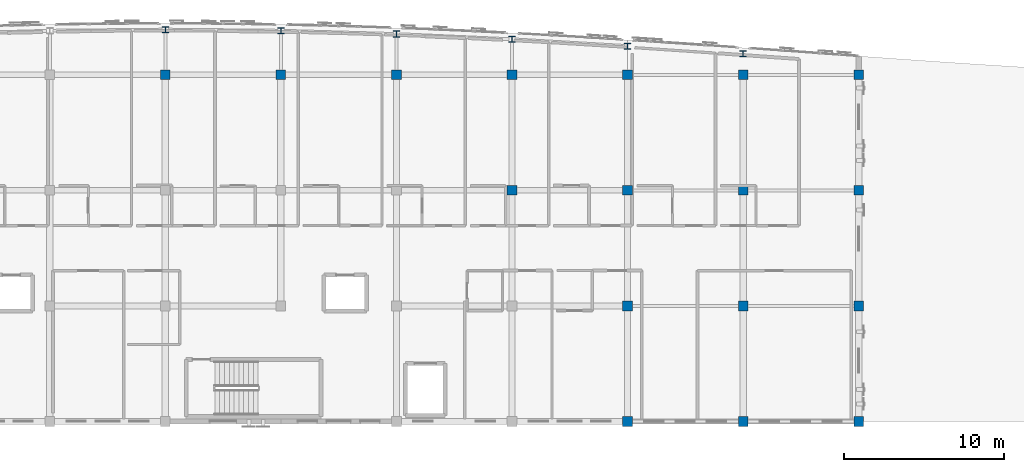
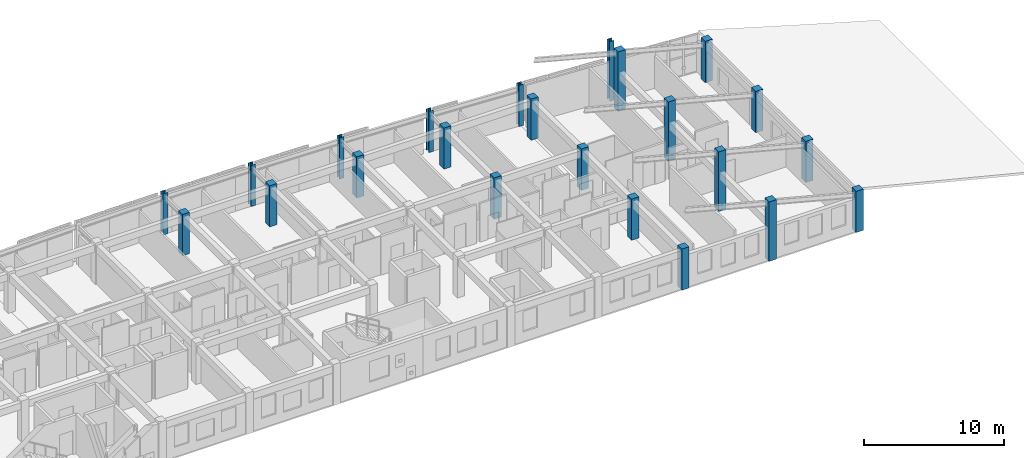
# One storey, part 3 of 41: 23 columns.
"""IFC4 building model written with IfcOpenShell, lengths in metres."""

from ifc_helpers import new_model, si_unit, direction, frame, origin, origin_2d, place, context, subcontext, project, spatial, rectangle, i_section, extrude, material, material_profile, profile_set, type_object, element, save


model = new_model("IFC4")

# Units and contexts
model_context = context("Model", 3, precision=1e-05, world=origin(), true_north=direction((0.0, 1.0)))
body_context = subcontext(model_context, "Body", "Model", "MODEL_VIEW")
ifc_project = project(units=[si_unit("LENGTHUNIT", "METRE"), si_unit("AREAUNIT", "SQUARE_METRE"), si_unit("VOLUMEUNIT", "CUBIC_METRE"), si_unit("PLANEANGLEUNIT", "RADIAN"), si_unit("MASSUNIT", "GRAM", prefix="KILO")], contexts=[model_context])

# Site, building, storey
site_placement = place(None, origin())
site = spatial("IfcSite", under=ifc_project, at=site_placement, CompositionType="ELEMENT")
building_placement = place(site_placement, origin())
building = spatial("IfcBuilding", under=site, at=building_placement, Name="Carrowvane Square Congress Hotel", CompositionType="ELEMENT")
storey_placement = place(building_placement, frame((0.0, 0.0, 37.199951171875)))
storey = spatial("IfcBuildingStorey", under=building, at=storey_placement, Name="L09", CompositionType="ELEMENT", Elevation=37.199951171875)

# Columns
ifc_material_1 = material(Name="Concrete C40/50", Category="concrete")
ifc_material_profile_1 = material_profile(ifc_material_1, rectangle(XDim=0.60009765625, YDim=0.60009765625, at=origin_2d()), Name="RC 600x600")
ifc_profile_set_1 = profile_set([ifc_material_profile_1], Name="Concrete C40/50")
column_type_1 = type_object("IfcColumnType", Name="COL-RC-600", PredefinedType="COLUMN", material=ifc_profile_set_1)
for number, where, z_axis, x_axis, name in (
    (1, (98.0, 113.39990234375, 0.0), (0.0, 0.0, 1.0), (1.0, 0.0, 0.0), "L09 column 13/R"),
    (2, (105.199951171875, 113.39990234375, 0.0), (0.0, 0.0, 1.0), (1.0, 0.0, 0.0), "L09 column 14/R"),
    (3, (112.39990234375, 113.39990234375, 0.0), (0.0, 0.0, 1.0), (1.0, 0.0, 0.0), "L09 column 15/R"),
    (4, (119.60009765625, 106.199951171875, 0.0), (0.0, 0.0, 1.0), (1.0, 0.0, 0.0), "L09 column 16/Q"),
    (5, (119.60009765625, 113.39990234375, 0.0), (0.0, 0.0, 1.0), (1.0, 0.0, 0.0), "L09 column 16/R"),
    (6, (126.800048828125, 91.800048828125, 0.0), (0.0, 0.0, 1.0), (1.0, 0.0, 0.0), "L09 column 17/N"),
    (7, (126.800048828125, 99.0, 0.0), (0.0, 0.0, 1.0), (1.0, 0.0, 0.0), "L09 column 17/P"),
    (8, (126.800048828125, 106.199951171875, 0.0), (0.0, 0.0, 1.0), (1.0, 0.0, 0.0), "L09 column 17/Q"),
    (9, (126.800048828125, 113.39990234375, 0.0), (0.0, 0.0, 1.0), (1.0, 0.0, 0.0), "L09 column 17/R"),
):
    element("IfcColumn", number, at=place(storey_placement, frame(where, z_axis=z_axis, x_axis=x_axis)), inside=storey, type_object=column_type_1, Name=name, PredefinedType="COLUMN", context=body_context, shape_type="SweptSolid", body=[
        extrude(rectangle(XDim=0.60009765625, YDim=0.60009765625, at=origin_2d()), origin(), (0.0, 0.0, 1.0), 3.60009765625),
    ])
for number, where, z_axis, x_axis, name in (
    (10, (134.0, 91.800048828125, 0.0), (0.0, 0.0, 1.0), (1.0, 0.0, 0.0), "L09 column 18/N"),
    (11, (134.0, 99.0, 0.0), (0.0, 0.0, 1.0), (1.0, 0.0, 0.0), "L09 column 18/P"),
    (12, (134.0, 106.199951171875, 0.0), (0.0, 0.0, 1.0), (1.0, 0.0, 0.0), "L09 column 18/Q"),
    (13, (134.0, 113.39990234375, 0.0), (0.0, 0.0, 1.0), (1.0, 0.0, 0.0), "L09 column 18/R"),
):
    element("IfcColumn", number, at=place(storey_placement, frame(where, z_axis=z_axis, x_axis=x_axis)), inside=storey, type_object=column_type_1, Name=name, PredefinedType="COLUMN", context=body_context, shape_type="SweptSolid", body=[
        extrude(rectangle(XDim=0.60009765625, YDim=0.60009765625, at=origin_2d()), origin(), (0.0, 0.0, 1.0), 5.199951171875),
    ])
for number, where, z_axis, x_axis, name in (
    (14, (141.199951171875, 91.800048828125, 0.0), (0.0, 0.0, 1.0), (1.0, 0.0, 0.0), "L09 column 19/N"),
    (15, (141.199951171875, 99.0, 0.0), (0.0, 0.0, 1.0), (1.0, 0.0, 0.0), "L09 column 19/P"),
    (16, (141.199951171875, 106.199951171875, 0.0), (0.0, 0.0, 1.0), (1.0, 0.0, 0.0), "L09 column 19/Q"),
    (17, (141.199951171875, 113.39990234375, 0.0), (0.0, 0.0, 1.0), (1.0, 0.0, 0.0), "L09 column 19/R"),
):
    element("IfcColumn", number, at=place(storey_placement, frame(where, z_axis=z_axis, x_axis=x_axis)), inside=storey, type_object=column_type_1, Name=name, PredefinedType="COLUMN", context=body_context, shape_type="SweptSolid", body=[
        extrude(rectangle(XDim=0.60009765625, YDim=0.60009765625, at=origin_2d()), origin(), (0.0, 0.0, 1.0), 3.60009765625),
    ])
ifc_material_2 = material(Name="Steel S355", Category="steel")
ifc_material_profile_2 = material_profile(ifc_material_2, i_section(OverallWidth=0.394775390625, OverallDepth=0.381103515625, WebThickness=0.018310546875, FlangeThickness=0.0302734375, FilletRadius=0.01513671875, at=origin_2d()), Name="UKC 356x406x235")
ifc_profile_set_2 = profile_set([ifc_material_profile_2], Name="Steel S355")
column_type_2 = type_object("IfcColumnType", Name="COL-ST-UKC406", PredefinedType="COLUMN", material=ifc_profile_set_2)
for number, where, z_axis, x_axis, name in (
    (18, (98.0, 116.219970703125, 0.0), (0.0, 0.0, 1.0), (1.0, 0.0, 0.0), "L09 column 13/ARC"),
    (19, (105.199951171875, 116.14990234375, 0.0), (0.0, 0.0, 1.0), (1.0, 0.0, 0.0), "L09 column 14/ARC"),
    (20, (112.39990234375, 115.944091796875, 0.0), (0.0, 0.0, 1.0), (1.0, 0.0, 0.0), "L09 column 15/ARC"),
    (21, (119.60009765625, 115.61767578125, 0.0), (0.0, 0.0, 1.0), (1.0, 0.0, 0.0), "L09 column 16/ARC"),
    (22, (126.800048828125, 115.1943359375, 0.0), (0.0, 0.0, 1.0), (1.0, 0.0, 0.0), "L09 column 17/ARC"),
):
    element("IfcColumn", number, at=place(storey_placement, frame(where, z_axis=z_axis, x_axis=x_axis)), inside=storey, type_object=column_type_2, Name=name, PredefinedType="COLUMN", context=body_context, shape_type="SweptSolid", body=[
        extrude(i_section(OverallWidth=0.394775390625, OverallDepth=0.381103515625, WebThickness=0.018310546875, FlangeThickness=0.0302734375, FilletRadius=0.01513671875, at=origin_2d()), origin(), (0.0, 0.0, 1.0), 3.60009765625),
    ])
column_placement = place(storey_placement, frame((134.0, 114.7060546875, 0.0), z_axis=(0.0, 0.0, 1.0), x_axis=(1.0, 0.0, 0.0)))
element("IfcColumn", 23, at=column_placement, inside=storey, type_object=column_type_2, Name="L09 column 18/ARC", PredefinedType="COLUMN", context=body_context, shape_type="SweptSolid", body=[
    extrude(i_section(OverallWidth=0.394775390625, OverallDepth=0.381103515625, WebThickness=0.018310546875, FlangeThickness=0.0302734375, FilletRadius=0.01513671875, at=origin_2d()), origin(), (0.0, 0.0, 1.0), 5.199951171875),
])

save(model, "model.ifc")
